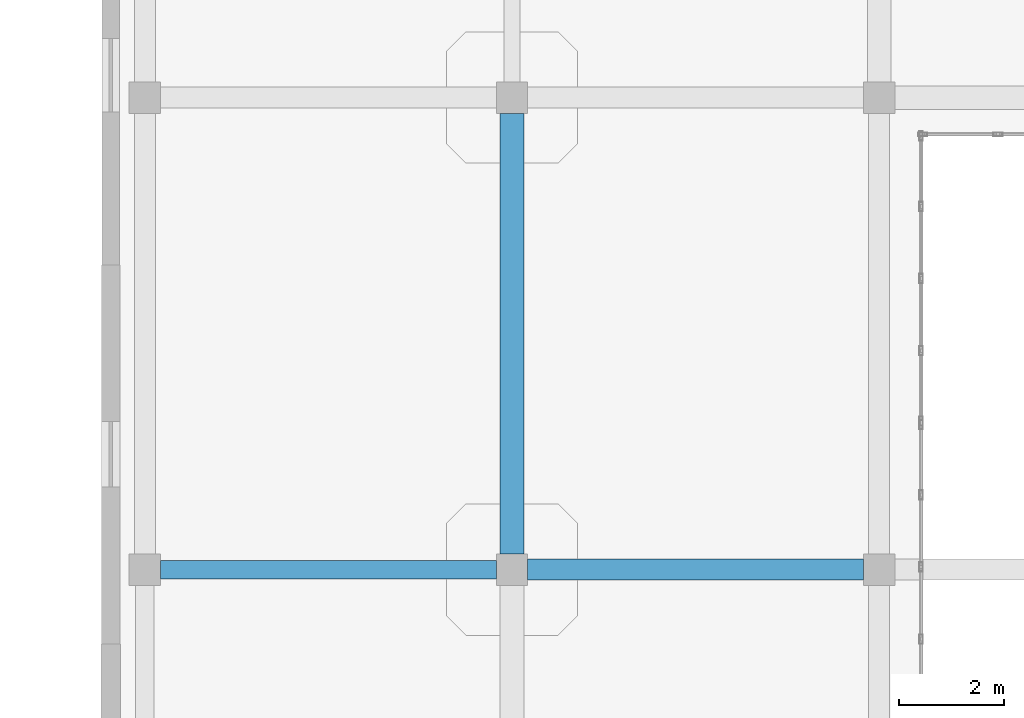
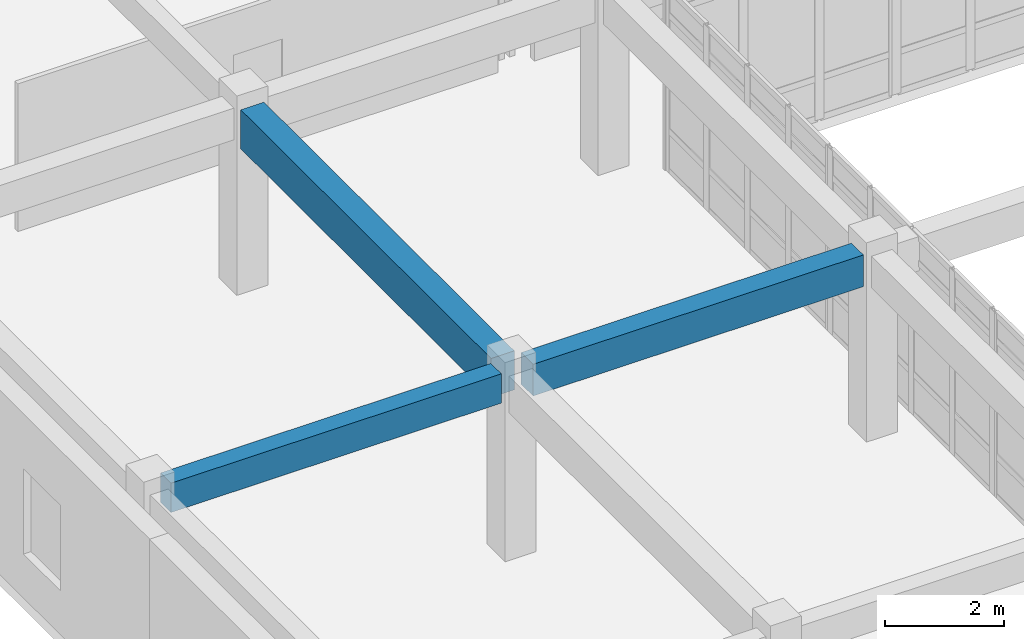
# One storey, part 46 of 91: 3 beams.
"""IFC4 building model written with IfcOpenShell, lengths in metres."""

from ifc_helpers import new_model, si_unit, direction, frame, origin, origin_2d, place, context, subcontext, project, spatial, rectangle, extrude, material, material_profile, profile_set, type_object, element, save


model = new_model("IFC4")

# Units and contexts
model_context = context("Model", 3, precision=1e-05, world=origin(), true_north=direction((0.0, 1.0)))
body_context = subcontext(model_context, "Body", "Model", "MODEL_VIEW")
ifc_project = project(units=[si_unit("LENGTHUNIT", "METRE"), si_unit("AREAUNIT", "SQUARE_METRE"), si_unit("VOLUMEUNIT", "CUBIC_METRE"), si_unit("PLANEANGLEUNIT", "RADIAN"), si_unit("MASSUNIT", "GRAM", prefix="KILO")], contexts=[model_context])

# Site, building, storey
site_placement = place(None, origin())
site = spatial("IfcSite", under=ifc_project, at=site_placement, CompositionType="ELEMENT")
building_placement = place(site_placement, origin())
building = spatial("IfcBuilding", under=site, at=building_placement, Name="Valcora Specialist Clinic", CompositionType="ELEMENT")
storey_placement = place(building_placement, frame((0.0, 0.0, 13.60009765625)))
storey = spatial("IfcBuildingStorey", under=building, at=storey_placement, Name="L03", CompositionType="ELEMENT", Elevation=13.60009765625)

# Beams
ifc_material = material(Name="Concrete C40/50", Category="concrete")
ifc_material_profile_1 = material_profile(ifc_material, rectangle(XDim=0.35009765625, YDim=0.60009765625, at=origin_2d()), Name="RC-BM-350X600")
ifc_profile_set_1 = profile_set([ifc_material_profile_1], Name="Concrete C40/50")
beam_type_1 = type_object("IfcBeamType", Name="TY-BM-RC350X600", PredefinedType="BEAM", material=ifc_profile_set_1)
beam_1_placement = place(storey_placement, frame((62.300048828125, 90.199951171875, 3.474853515625), z_axis=(1.0, 0.0, 0.0), x_axis=(0.0, 1.0, 0.0)))
element("IfcBeam", 1, at=beam_1_placement, inside=storey, type_object=beam_type_1, Name="Beam BM-L03-0782", PredefinedType="BEAM", context=body_context, shape_type="SweptSolid", body=[
    extrude(rectangle(XDim=0.35009765625, YDim=0.60009765625, at=origin_2d()), origin(), (0.0, 0.0, 1.0), 6.39990234375),
])
ifc_material_profile_2 = material_profile(ifc_material, rectangle(XDim=0.39990234375, YDim=0.64990234375, at=origin_2d()), Name="RC-BM-400X650")
ifc_profile_set_2 = profile_set([ifc_material_profile_2], Name="Concrete C40/50")
beam_type_2 = type_object("IfcBeamType", Name="TY-BM-RC400X650", PredefinedType="BEAM", material=ifc_profile_set_2)
beam_2_placement = place(storey_placement, frame((69.300048828125, 90.199951171875, 3.449951171875), z_axis=(1.0, 0.0, 0.0), x_axis=(0.0, 1.0, 0.0)))
element("IfcBeam", 2, at=beam_2_placement, inside=storey, type_object=beam_type_2, Name="Beam BM-L03-0783", PredefinedType="BEAM", context=body_context, shape_type="SweptSolid", body=[
    extrude(rectangle(XDim=0.39990234375, YDim=0.64990234375, at=origin_2d()), origin(), (0.0, 0.0, 1.0), 6.39990234375),
])
ifc_material_profile_3 = material_profile(ifc_material, rectangle(XDim=0.449951171875, YDim=0.800048828125, at=origin_2d()), Name="RC-BM-450X800")
ifc_profile_set_3 = profile_set([ifc_material_profile_3], Name="Concrete C40/50")
beam_type_3 = type_object("IfcBeamType", Name="TY-BM-RC450X800", PredefinedType="BEAM", material=ifc_profile_set_3)
beam_3_placement = place(storey_placement, frame((69.0, 90.5, 3.375), z_axis=(0.0, 1.0, 0.0), x_axis=(-1.0, 0.0, 0.0)))
element("IfcBeam", 3, at=beam_3_placement, inside=storey, type_object=beam_type_3, Name="Beam BM-L03-0808", PredefinedType="BEAM", context=body_context, shape_type="SweptSolid", body=[
    extrude(rectangle(XDim=0.449951171875, YDim=0.800048828125, at=origin_2d()), origin(), (0.0, 0.0, 1.0), 8.39990234375),
])

save(model, "model.ifc")
